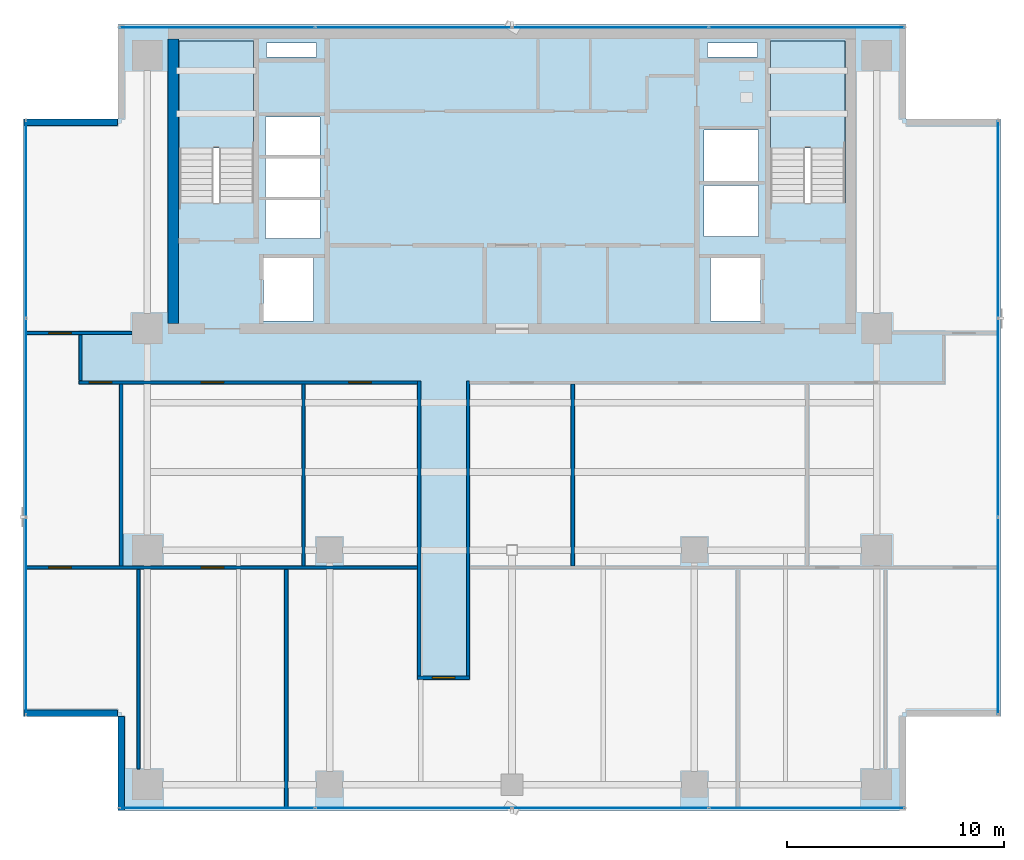
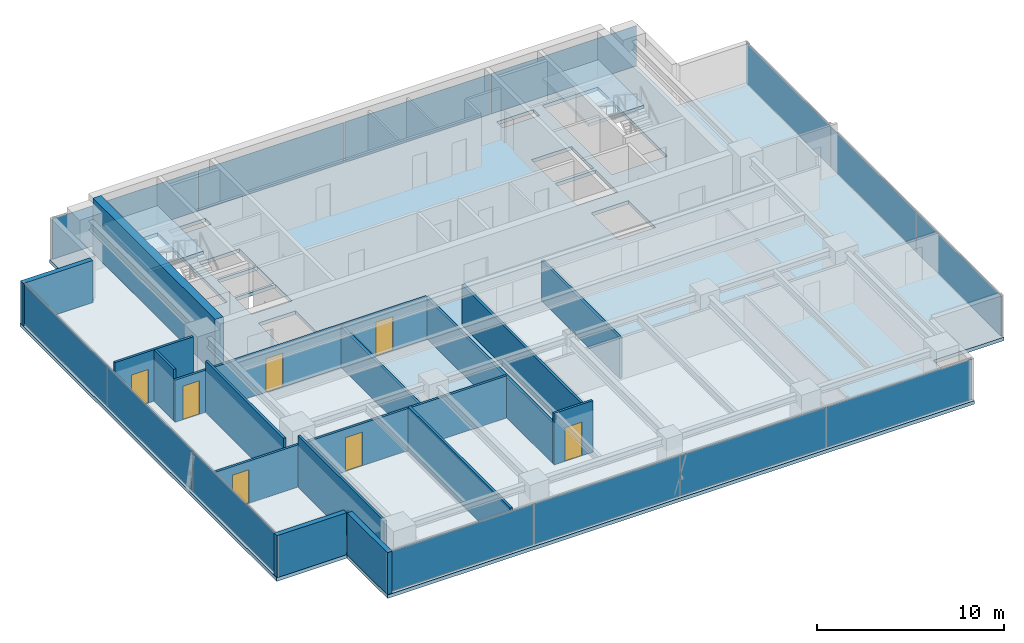
# One storey, part 19 of 25: 16 walls, 14 plates, 7 doors, 3 slabs, 7 openings, 6 elements without a shape of their own.
"""IFC4 building model written with IfcOpenShell, lengths in metres."""

from ifc_helpers import new_model, si_unit, direction, frame, frame_2d, origin, origin_2d, place, context, subcontext, project, spatial, polyline, rectangle, outline, extrude, source, transform, mapped, material, layer, layer_set, type_object, element, fill, aggregate, save


model = new_model("IFC4")

# Units and contexts
model_context = context("Model", 3, precision=1e-05, world=origin(), true_north=direction((0.0, 1.0)))
body_context = subcontext(model_context, "Body", "Model", "MODEL_VIEW")
ifc_project = project(units=[si_unit("LENGTHUNIT", "METRE"), si_unit("AREAUNIT", "SQUARE_METRE"), si_unit("VOLUMEUNIT", "CUBIC_METRE"), si_unit("PLANEANGLEUNIT", "RADIAN"), si_unit("MASSUNIT", "GRAM", prefix="KILO")], contexts=[model_context])

# Site, building, storey
site_placement = place(None, origin())
site = spatial("IfcSite", under=ifc_project, at=site_placement, CompositionType="ELEMENT")
building_placement = place(site_placement, origin())
building = spatial("IfcBuilding", under=site, at=building_placement, Name="Sumidabori Civic Tower", CompositionType="ELEMENT")
storey_placement = place(building_placement, frame((0.0, 0.0, 246.800048828125)))
storey = spatial("IfcBuildingStorey", under=building, at=storey_placement, Name="L64", CompositionType="ELEMENT", Elevation=246.800048828125)

# Stair, slab
ifc_material_1 = material(Name="Concrete C40/50", Category="concrete")
stair_type = type_object("IfcStairType", Name="ST-CORE-1600", PredefinedType="HALF_TURN_STAIR", material=ifc_material_1)
stair_1_placement = place(storey_placement, origin())
stair_1 = element("IfcStair", 1, at=stair_1_placement, inside=storey, type_object=stair_type, Name="L64 ST-1", PredefinedType="HALF_TURN_STAIR")
ifc_layer_1 = layer(ifc_material_1, 0.199951171875, Name="Concrete C40/50")
ifc_layer_set_1 = layer_set([ifc_layer_1], Name="Concrete C40/50")
slab_type_1 = type_object("IfcSlabType", Name="SL-LAND-200", PredefinedType="LANDING", material=ifc_layer_set_1)
slab_1_placement = place(storey_placement, frame((0.0, 0.0, 1.599853515625)))
slab_1 = element("IfcSlab", 2, at=slab_1_placement, type_object=slab_type_1, Name="ST-1 landing 1", PredefinedType="LANDING", context=body_context, shape_type="SweptSolid", body=[
    extrude(outline(polyline([(-11.89990234375, 18.52001953125), (-11.89990234375, 23.449951171875), (-15.340087890625, 23.449951171875), (-15.340087890625, 18.52001953125), (-11.89990234375, 18.52001953125)])), origin(), (0.0, 0.0, 1.0), 0.2001953125),
])
aggregate(stair_1, [slab_1])

stair_2_placement = place(storey_placement, origin())
stair_2 = element("IfcStair", 3, at=stair_2_placement, inside=storey, type_object=stair_type, Name="L64 ST-2", PredefinedType="HALF_TURN_STAIR")
slab_2_placement = place(storey_placement, frame((0.0, 0.0, 1.599853515625)))
slab_2 = element("IfcSlab", 4, at=slab_2_placement, type_object=slab_type_1, Name="ST-2 landing 1", PredefinedType="LANDING", context=body_context, shape_type="SweptSolid", body=[
    extrude(outline(polyline([(15.340087890625, 18.52001953125), (15.340087890625, 23.449951171875), (11.89990234375, 23.449951171875), (11.89990234375, 18.52001953125), (15.340087890625, 18.52001953125)])), origin(), (0.0, 0.0, 1.0), 0.2001953125),
])
aggregate(stair_2, [slab_2])

# Slab
ifc_layer_2 = layer(ifc_material_1, 0.22998046875, Name="Concrete C40/50")
ifc_layer_set_2 = layer_set([ifc_layer_2], Name="Concrete C40/50")
slab_type_2 = type_object("IfcSlabType", Name="SL-Z4-230", PredefinedType="FLOOR", material=ifc_layer_set_2)
slab_3_placement = place(storey_placement, frame((0.0, 0.0, -0.22998046875)))
element("IfcSlab", 5, at=slab_3_placement, inside=storey, type_object=slab_type_2, Name="Structural Slab L64", PredefinedType="FLOOR", context=body_context, shape_type="SweptSolid", body=[
    extrude(outline(polyline([(-18.14990234375, -12.0), (18.14990234375, -12.0), (18.14990234375, -7.64990234375), (22.5, -7.64990234375), (22.5, 19.85009765625), (18.14990234375, 19.85009765625), (18.14990234375, 24.199951171875), (-18.14990234375, 24.199951171875), (-18.14990234375, 19.85009765625), (-22.5, 19.85009765625), (-22.5, -7.64990234375), (-18.14990234375, -7.64990234375), (-18.14990234375, -12.0)]), holes=[polyline([(-11.89990234375, 16.0), (-11.89990234375, 23.449951171875), (-15.340087890625, 23.449951171875), (-15.340087890625, 16.0), (-11.89990234375, 16.0)]), polyline([(15.340087890625, 16.0), (15.340087890625, 23.449951171875), (11.89990234375, 23.449951171875), (11.89990234375, 16.0), (15.340087890625, 16.0)]), polyline([(-11.449951171875, 10.550048828125), (-9.14990234375, 10.550048828125), (-9.14990234375, 13.449951171875), (-11.449951171875, 13.449951171875), (-11.449951171875, 10.550048828125)]), polyline([(9.14990234375, 10.550048828125), (11.449951171875, 10.550048828125), (11.449951171875, 13.449951171875), (9.14990234375, 13.449951171875), (9.14990234375, 10.550048828125)]), polyline([(-11.35009765625, 14.35009765625), (-8.85009765625, 14.35009765625), (-8.85009765625, 16.1201171875), (-11.35009765625, 16.1201171875), (-11.35009765625, 14.35009765625)]), polyline([(-11.35009765625, 16.27001953125), (-8.85009765625, 16.27001953125), (-8.85009765625, 18.0400390625), (-11.35009765625, 18.0400390625), (-11.35009765625, 16.27001953125)]), polyline([(-11.35009765625, 18.18994140625), (-8.85009765625, 18.18994140625), (-8.85009765625, 19.9599609375), (-11.35009765625, 19.9599609375), (-11.35009765625, 18.18994140625)]), polyline([(8.85009765625, 14.449951171875), (11.35009765625, 14.449951171875), (11.35009765625, 16.800048828125), (8.85009765625, 16.800048828125), (8.85009765625, 14.449951171875)]), polyline([(8.85009765625, 17.0), (11.35009765625, 17.0), (11.35009765625, 19.35009765625), (8.85009765625, 19.35009765625), (8.85009765625, 17.0)]), polyline([(-11.300048828125, 22.719970703125), (-9.0, 22.719970703125), (-9.0, 23.35009765625), (-11.300048828125, 23.35009765625), (-11.300048828125, 22.719970703125)]), polyline([(9.0, 22.719970703125), (11.300048828125, 22.719970703125), (11.300048828125, 23.35009765625), (9.0, 23.35009765625), (9.0, 22.719970703125)])]), origin(), (0.0, 0.0, 1.0), 0.22998046875),
])

# Curtain wall, plates
ifc_material_2 = material(Name="Anodised Bronze Aluminium AW-6063-T6", Category="aluminium")
ifc_layer_3 = layer(ifc_material_2, 0.179931640625, Name="Anodised Bronze Aluminium AW-6063-T6")
ifc_layer_set_3 = layer_set([ifc_layer_3], Name="Anodised Bronze Aluminium AW-6063-T6")
curtain_wall_type = type_object("IfcCurtainWallType", Name="CW-SYS-5", PredefinedType="NOTDEFINED", material=ifc_layer_set_3)
curtain_wall_1_placement = place(storey_placement, origin())
curtain_wall_1 = element("IfcCurtainWall", 6, at=curtain_wall_1_placement, inside=storey, type_object=curtain_wall_type, Name="Curtain Wall CW:L64:R01", PredefinedType="NOTDEFINED")
ifc_material_3 = material(Name="Low-E Solar-Control Vision Glazing", Category="glass")
ifc_layer_4 = layer(ifc_material_3, 0.028076171875, Name="Low-E Solar-Control Vision Glazing")
ifc_layer_set_4 = layer_set([ifc_layer_4], Name="Low-E Solar-Control Vision Glazing")
plate_type = type_object("IfcPlateType", Name="CW-PNL-28", PredefinedType="CURTAIN_PANEL", material=ifc_layer_set_4)
shared_shape_1 = source(origin(), body_context, "Body", "SweptSolid", [
    extrude(rectangle(XDim=8.969970703125, YDim=0.028076171875, at=origin_2d()), origin(), (0.0, 0.0, 1.0), 2.6298828125),
])
plate_1_placement = place(storey_placement, frame((-13.574951171875, -11.8798828125, 0.06005859375), z_axis=(0.0, 0.0, 1.0), x_axis=(1.0, 0.0, 0.0)))
plate_1 = element("IfcPlate", 7, at=plate_1_placement, type_object=plate_type, Name="CW-5 panel 1.1", PredefinedType="CURTAIN_PANEL", context=body_context, shape_type="MappedRepresentation", body=[
    mapped(shared_shape_1, transform((0.0, 0.0, 0.0), x_axis=(1.0, 0.0, 0.0), y_axis=(0.0, 1.0, 0.0), z_axis=(0.0, 0.0, 1.0), scale=1.0)),
])
plate_2_placement = place(storey_placement, frame((13.574951171875, -11.8798828125, 0.06005859375), z_axis=(0.0, 0.0, 1.0), x_axis=(1.0, 0.0, 0.0)))
plate_2 = element("IfcPlate", 8, at=plate_2_placement, type_object=plate_type, Name="CW-5 panel 4.1", PredefinedType="CURTAIN_PANEL", context=body_context, shape_type="MappedRepresentation", body=[
    mapped(shared_shape_1, transform((0.0, 0.0, 0.0), x_axis=(1.0, 0.0, 0.0), y_axis=(0.0, 1.0, 0.0), z_axis=(0.0, 0.0, 1.0), scale=1.0)),
])

curtain_wall_2_placement = place(storey_placement, origin())
curtain_wall_2 = element("IfcCurtainWall", 9, at=curtain_wall_2_placement, inside=storey, type_object=curtain_wall_type, Name="Curtain Wall CW:L64:R07", PredefinedType="NOTDEFINED")
plate_3_placement = place(storey_placement, frame((13.574951171875, 24.080078125, 0.06005859375), z_axis=(0.0, 0.0, 1.0), x_axis=(-1.0, 0.0, 0.0)))
plate_3 = element("IfcPlate", 10, at=plate_3_placement, type_object=plate_type, Name="CW-5 panel 1.1", PredefinedType="CURTAIN_PANEL", context=body_context, shape_type="MappedRepresentation", body=[
    mapped(shared_shape_1, transform((0.0, 0.0, 0.0), x_axis=(1.0, 0.0, 0.0), y_axis=(0.0, 1.0, 0.0), z_axis=(0.0, 0.0, 1.0), scale=1.0)),
])
plate_4_placement = place(storey_placement, frame((-13.574951171875, 24.080078125, 0.06005859375), z_axis=(0.0, 0.0, 1.0), x_axis=(-1.0, 0.0, 0.0)))
plate_4 = element("IfcPlate", 11, at=plate_4_placement, type_object=plate_type, Name="CW-5 panel 4.1", PredefinedType="CURTAIN_PANEL", context=body_context, shape_type="MappedRepresentation", body=[
    mapped(shared_shape_1, transform((0.0, 0.0, 0.0), x_axis=(1.0, 0.0, 0.0), y_axis=(0.0, 1.0, 0.0), z_axis=(0.0, 0.0, 1.0), scale=1.0)),
])

# Plate
shared_shape_2 = source(origin(), body_context, "Body", "SweptSolid", [
    extrude(rectangle(XDim=9.0, YDim=0.028076171875, at=origin_2d()), origin(), (0.0, 0.0, 1.0), 2.6298828125),
])
plate_5_placement = place(storey_placement, frame((-4.530029296875, -11.8798828125, 0.06005859375), z_axis=(0.0, 0.0, 1.0), x_axis=(1.0, 0.0, 0.0)))
plate_5 = element("IfcPlate", 12, at=plate_5_placement, type_object=plate_type, Name="CW-5 panel 2.1", PredefinedType="CURTAIN_PANEL", context=body_context, shape_type="MappedRepresentation", body=[
    mapped(shared_shape_2, transform((0.0, 0.0, 0.0), x_axis=(1.0, 0.0, 0.0), y_axis=(0.0, 1.0, 0.0), z_axis=(0.0, 0.0, 1.0), scale=1.0)),
])

plate_6_placement = place(storey_placement, frame((4.530029296875, -11.8798828125, 0.06005859375), z_axis=(0.0, 0.0, 1.0), x_axis=(1.0, 0.0, 0.0)))
plate_6 = element("IfcPlate", 13, at=plate_6_placement, type_object=plate_type, Name="CW-5 panel 3.1", PredefinedType="CURTAIN_PANEL", context=body_context, shape_type="MappedRepresentation", body=[
    mapped(shared_shape_2, transform((0.0, 0.0, 0.0), x_axis=(1.0, 0.0, 0.0), y_axis=(0.0, 1.0, 0.0), z_axis=(0.0, 0.0, 1.0), scale=1.0)),
])

aggregate(curtain_wall_1, [plate_1, plate_5, plate_6, plate_2])

plate_7_placement = place(storey_placement, frame((4.530029296875, 24.080078125, 0.06005859375), z_axis=(0.0, 0.0, 1.0), x_axis=(-1.0, 0.0, 0.0)))
plate_7 = element("IfcPlate", 14, at=plate_7_placement, type_object=plate_type, Name="CW-5 panel 2.1", PredefinedType="CURTAIN_PANEL", context=body_context, shape_type="MappedRepresentation", body=[
    mapped(shared_shape_2, transform((0.0, 0.0, 0.0), x_axis=(1.0, 0.0, 0.0), y_axis=(0.0, 1.0, 0.0), z_axis=(0.0, 0.0, 1.0), scale=1.0)),
])

plate_8_placement = place(storey_placement, frame((-4.530029296875, 24.080078125, 0.06005859375), z_axis=(0.0, 0.0, 1.0), x_axis=(-1.0, 0.0, 0.0)))
plate_8 = element("IfcPlate", 15, at=plate_8_placement, type_object=plate_type, Name="CW-5 panel 3.1", PredefinedType="CURTAIN_PANEL", context=body_context, shape_type="MappedRepresentation", body=[
    mapped(shared_shape_2, transform((0.0, 0.0, 0.0), x_axis=(1.0, 0.0, 0.0), y_axis=(0.0, 1.0, 0.0), z_axis=(0.0, 0.0, 1.0), scale=1.0)),
])

aggregate(curtain_wall_2, [plate_3, plate_7, plate_8, plate_4])

# Curtain wall, plates
curtain_wall_3_placement = place(storey_placement, origin())
curtain_wall_3 = element("IfcCurtainWall", 16, at=curtain_wall_3_placement, inside=storey, type_object=curtain_wall_type, Name="Curtain Wall CW:L64:R04", PredefinedType="NOTDEFINED")
shared_shape_3 = source(origin(), body_context, "Body", "SweptSolid", [
    extrude(rectangle(XDim=9.056640625, YDim=0.028076171875, at=origin_2d()), origin(), (0.0, 0.0, 1.0), 2.6298828125),
])
plate_9_placement = place(storey_placement, frame((22.3798828125, -3.03173828125, 0.06005859375), z_axis=(0.0, 0.0, 1.0), x_axis=(0.0, 1.0, 0.0)))
plate_9 = element("IfcPlate", 17, at=plate_9_placement, type_object=plate_type, Name="CW-5 panel 1.1", PredefinedType="CURTAIN_PANEL", context=body_context, shape_type="MappedRepresentation", body=[
    mapped(shared_shape_3, transform((0.0, 0.0, 0.0), x_axis=(1.0, 0.0, 0.0), y_axis=(0.0, 1.0, 0.0), z_axis=(0.0, 0.0, 1.0), scale=1.0)),
])
plate_10_placement = place(storey_placement, frame((22.3798828125, 15.231689453125, 0.06005859375), z_axis=(0.0, 0.0, 1.0), x_axis=(0.0, 1.0, 0.0)))
plate_10 = element("IfcPlate", 18, at=plate_10_placement, type_object=plate_type, Name="CW-5 panel 3.1", PredefinedType="CURTAIN_PANEL", context=body_context, shape_type="MappedRepresentation", body=[
    mapped(shared_shape_3, transform((0.0, 0.0, 0.0), x_axis=(1.0, 0.0, 0.0), y_axis=(0.0, 1.0, 0.0), z_axis=(0.0, 0.0, 1.0), scale=1.0)),
])

curtain_wall_4_placement = place(storey_placement, origin())
curtain_wall_4 = element("IfcCurtainWall", 19, at=curtain_wall_4_placement, inside=storey, type_object=curtain_wall_type, Name="Curtain Wall CW:L64:R10", PredefinedType="NOTDEFINED")
plate_11_placement = place(storey_placement, frame((-22.3798828125, 15.231689453125, 0.06005859375), z_axis=(0.0, 0.0, 1.0), x_axis=(0.0, -1.0, 0.0)))
plate_11 = element("IfcPlate", 20, at=plate_11_placement, type_object=plate_type, Name="CW-5 panel 1.1", PredefinedType="CURTAIN_PANEL", context=body_context, shape_type="MappedRepresentation", body=[
    mapped(shared_shape_3, transform((0.0, 0.0, 0.0), x_axis=(1.0, 0.0, 0.0), y_axis=(0.0, 1.0, 0.0), z_axis=(0.0, 0.0, 1.0), scale=1.0)),
])
plate_12_placement = place(storey_placement, frame((-22.3798828125, -3.03173828125, 0.06005859375), z_axis=(0.0, 0.0, 1.0), x_axis=(0.0, -1.0, 0.0)))
plate_12 = element("IfcPlate", 21, at=plate_12_placement, type_object=plate_type, Name="CW-5 panel 3.1", PredefinedType="CURTAIN_PANEL", context=body_context, shape_type="MappedRepresentation", body=[
    mapped(shared_shape_3, transform((0.0, 0.0, 0.0), x_axis=(1.0, 0.0, 0.0), y_axis=(0.0, 1.0, 0.0), z_axis=(0.0, 0.0, 1.0), scale=1.0)),
])

# Plate
shared_shape_4 = source(origin(), body_context, "Body", "SweptSolid", [
    extrude(rectangle(XDim=9.086669921875, YDim=0.028076171875, at=origin_2d()), origin(), (0.0, 0.0, 1.0), 2.6298828125),
])
plate_13_placement = place(storey_placement, frame((22.3798828125, 6.10009765625, 0.06005859375), z_axis=(0.0, 0.0, 1.0), x_axis=(0.0, 1.0, 0.0)))
plate_13 = element("IfcPlate", 22, at=plate_13_placement, type_object=plate_type, Name="CW-5 panel 2.1", PredefinedType="CURTAIN_PANEL", context=body_context, shape_type="MappedRepresentation", body=[
    mapped(shared_shape_4, transform((0.0, 0.0, 0.0), x_axis=(1.0, 0.0, 0.0), y_axis=(0.0, 1.0, 0.0), z_axis=(0.0, 0.0, 1.0), scale=1.0)),
])

aggregate(curtain_wall_3, [plate_9, plate_13, plate_10])

plate_14_placement = place(storey_placement, frame((-22.3798828125, 6.10009765625, 0.06005859375), z_axis=(0.0, 0.0, 1.0), x_axis=(0.0, -1.0, 0.0)))
plate_14 = element("IfcPlate", 23, at=plate_14_placement, type_object=plate_type, Name="CW-5 panel 2.1", PredefinedType="CURTAIN_PANEL", context=body_context, shape_type="MappedRepresentation", body=[
    mapped(shared_shape_4, transform((0.0, 0.0, 0.0), x_axis=(1.0, 0.0, 0.0), y_axis=(0.0, 1.0, 0.0), z_axis=(0.0, 0.0, 1.0), scale=1.0)),
])

aggregate(curtain_wall_4, [plate_11, plate_14, plate_12])

# Walls
ifc_material_4 = material(Name="Concrete C50/60", Category="concrete")
ifc_layer_5 = layer(ifc_material_4, 0.5, Name="Concrete C50/60")
ifc_layer_set_5 = layer_set([ifc_layer_5], Name="Concrete C50/60")
wall_type_1 = type_object("IfcWallType", Name="WL-CORE-500", PredefinedType="SHEAR", material=ifc_layer_set_5)
shared_shape_5 = source(origin(), body_context, "Body", "SweptSolid", [
    extrude(rectangle(XDim=13.10009765625, YDim=0.5, at=frame_2d((6.550048828125, 0.0))), origin(), (0.0, 0.0, 1.0), 3.599853515625),
])
wall_1_placement = place(storey_placement, frame((-15.60009765625, 10.449951171875, 0.0), z_axis=(0.0, 0.0, 1.0), x_axis=(0.0, 1.0, 0.0)))
element("IfcWall", 24, at=wall_1_placement, inside=storey, type_object=wall_type_1, Name="Core Shear Wall L64 W", PredefinedType="SHEAR", context=body_context, shape_type="MappedRepresentation", body=[
    mapped(shared_shape_5, transform((0.0, 0.0, 0.0), x_axis=(1.0, 0.0, 0.0), y_axis=(0.0, 1.0, 0.0), z_axis=(0.0, 0.0, 1.0), scale=1.0)),
])
ifc_material_5 = material(Name="Precast concrete C40/50", Category="concrete")
ifc_layer_6 = layer(ifc_material_5, 0.300048828125, Name="Precast concrete C40/50")
ifc_layer_set_6 = layer_set([ifc_layer_6], Name="Precast concrete C40/50")
wall_type_2 = type_object("IfcWallType", Name="WL-EXT-POD300", PredefinedType="STANDARD", material=ifc_layer_set_6)
shared_shape_6 = source(origin(), body_context, "Body", "SweptSolid", [
    extrude(rectangle(XDim=4.31005859375, YDim=0.300048828125, at=frame_2d((2.155029296875, 0.0))), origin(), (0.0, 0.0, 1.0), 2.75),
])
for number, where, z_axis, x_axis, name in (
    (25, (-18.169921875, 19.699951171875, 0.0), (0.0, 0.0, 1.0), (-1.0, 0.0, 0.0), "Notched Corner Spandrel Band L64-09"),
    (26, (-22.47998046875, -7.5, 0.0), (0.0, 0.0, 1.0), (1.0, 0.0, 0.0), "Notched Corner Spandrel Band L64-11"),
    (27, (-18.0, -7.669921875, 0.0), (0.0, 0.0, 1.0), (0.0, -1.0, 0.0), "Notched Corner Spandrel Band L64-12"),
):
    element("IfcWall", number, at=place(storey_placement, frame(where, z_axis=z_axis, x_axis=x_axis)), inside=storey, type_object=wall_type_2, Name=name, PredefinedType="STANDARD", context=body_context, shape_type="MappedRepresentation", body=[
        mapped(shared_shape_6, transform((0.0, 0.0, 0.0), x_axis=(1.0, 0.0, 0.0), y_axis=(0.0, 1.0, 0.0), z_axis=(0.0, 0.0, 1.0), scale=1.0)),
    ])
ifc_material_6 = material(Name="Gypsum Plasterboard Acoustic Partition")
ifc_layer_7 = layer(ifc_material_6, 0.14990234375, Name="Gypsum Plasterboard Acoustic Partition")
ifc_layer_set_7 = layer_set([ifc_layer_7], Name="Gypsum Plasterboard Acoustic Partition")
wall_type_3 = type_object("IfcWallType", Name="WL-PART-150", PredefinedType="PARTITIONING", material=ifc_layer_set_7)
shared_shape_7 = source(origin(), body_context, "Body", "SweptSolid", [
    extrude(rectangle(XDim=13.594970703125, YDim=0.14990234375, at=frame_2d((6.79736328125, 0.0))), origin(), (0.0, 0.0, 1.0), 2.655029296875),
])
for number, where, z_axis, x_axis, name in (
    (28, (-4.27490234375, -5.794921875, 0.0), (0.0, 0.0, 1.0), (0.0, 1.0, 0.0), "Interior Partition WL:L64:CORR-VC-W"),
    (29, (-2.02490234375, -5.794921875, 0.0), (0.0, 0.0, 1.0), (0.0, 1.0, 0.0), "Interior Partition WL:L64:CORR-VC-E"),
):
    element("IfcWall", number, at=place(storey_placement, frame(where, z_axis=z_axis, x_axis=x_axis)), inside=storey, type_object=wall_type_3, Name=name, PredefinedType="PARTITIONING", context=body_context, shape_type="MappedRepresentation", body=[
        mapped(shared_shape_7, transform((0.0, 0.0, 0.0), x_axis=(1.0, 0.0, 0.0), y_axis=(0.0, 1.0, 0.0), z_axis=(0.0, 0.0, 1.0), scale=1.0)),
    ])
shared_shape_8 = source(origin(), body_context, "Body", "SweptSolid", [
    extrude(rectangle(XDim=8.364990234375, YDim=0.14990234375, at=frame_2d((4.1826171875, 0.0))), origin(), (0.0, 0.0, 1.0), 2.655029296875),
])
for number, where, z_axis, x_axis, name in (
    (30, (-9.60009765625, -0.719970703125, 0.0), (0.0, 0.0, 1.0), (0.0, 1.0, 0.0), "Interior Partition WL:L64:VX-N2"),
    (31, (2.800048828125, -0.719970703125, 0.0), (0.0, 0.0, 1.0), (0.0, 1.0, 0.0), "Interior Partition WL:L64:VX-N3"),
):
    element("IfcWall", number, at=place(storey_placement, frame(where, z_axis=z_axis, x_axis=x_axis)), inside=storey, type_object=wall_type_3, Name=name, PredefinedType="PARTITIONING", context=body_context, shape_type="MappedRepresentation", body=[
        mapped(shared_shape_8, transform((0.0, 0.0, 0.0), x_axis=(1.0, 0.0, 0.0), y_axis=(0.0, 1.0, 0.0), z_axis=(0.0, 0.0, 1.0), scale=1.0)),
    ])
shared_shape_9 = source(origin(), body_context, "Body", "SweptSolid", [
    extrude(rectangle(XDim=10.97021484375, YDim=0.14990234375, at=frame_2d((5.485107421875, 0.0))), origin(), (0.0, 0.0, 1.0), 2.905029296875),
])
wall_2_placement = place(storey_placement, frame((-10.39990234375, -11.85009765625, 0.0), z_axis=(0.0, 0.0, 1.0), x_axis=(0.0, 1.0, 0.0)))
element("IfcWall", 32, at=wall_2_placement, inside=storey, type_object=wall_type_3, Name="Interior Partition WL:L64:VX-S2", PredefinedType="PARTITIONING", context=body_context, shape_type="MappedRepresentation", body=[
    mapped(shared_shape_9, transform((0.0, 0.0, 0.0), x_axis=(1.0, 0.0, 0.0), y_axis=(0.0, 1.0, 0.0), z_axis=(0.0, 0.0, 1.0), scale=1.0)),
])

# Wall, opening, door
shared_shape_10 = source(origin(), body_context, "Body", "SweptSolid", [
    extrude(rectangle(XDim=4.840087890625, YDim=0.14990234375, at=frame_2d((2.419921875, 0.0))), origin(), (0.0, 0.0, 1.0), 3.369873046875),
])
wall_3_placement = place(storey_placement, frame((-22.35009765625, 10.0, 0.0), z_axis=(0.0, 0.0, 1.0), x_axis=(1.0, 0.0, 0.0)))
wall_3 = element("IfcWall", 33, at=wall_3_placement, inside=storey, type_object=wall_type_3, Name="Interior Partition WL:L64:FLK-NW", PredefinedType="PARTITIONING", context=body_context, shape_type="MappedRepresentation", body=[
    mapped(shared_shape_10, transform((0.0, 0.0, 0.0), x_axis=(1.0, 0.0, 0.0), y_axis=(0.0, 1.0, 0.0), z_axis=(0.0, 0.0, 1.0), scale=1.0)),
])
opening_1_placement = place(wall_3_placement, frame((1.017578125, 0.0, 0.0)))
opening_1 = element("IfcOpeningElement", 34, at=opening_1_placement, cuts=wall_3, Name="Opening DR-4", PredefinedType="OPENING", context=body_context, shape_type="SweptSolid", body=[
    extrude(rectangle(XDim=1.0400390625, YDim=2.199951171875, at=frame_2d((0.52001953125, 1.10009765625))), frame((0.0, 0.0869140625, 0.0), z_axis=(0.0, -1.0, 0.0), x_axis=(1.0, 0.0, 0.0)), (0.0, 0.0, 1.0), 0.173828125),
])
ifc_material_7 = material(Name="Japanese Hinoki Timber", Category="wood")
door_type = type_object("IfcDoorType", Name="DR-INT-1040", OperationType="NOTDEFINED", PredefinedType="DOOR", material=ifc_material_7)
shared_shape_11 = source(origin(), body_context, "Body", "SweptSolid", [
    extrude(rectangle(XDim=1.0400390625, YDim=2.199951171875, at=frame_2d((0.52001953125, 1.10009765625))), frame((0.0, 0.02490234375, 0.0), z_axis=(0.0, -1.0, 0.0), x_axis=(1.0, 0.0, 0.0)), (0.0, 0.0, 1.0), 0.050048828125),
])
door_1_placement = place(opening_1_placement, origin())
door_1 = element("IfcDoor", 35, at=door_1_placement, inside=storey, type_object=door_type, Name="Door DR:L64:D08", OperationType="SINGLE_SWING_RIGHT", OverallHeight=2.199951171875, OverallWidth=1.0400390625, PredefinedType="DOOR", context=body_context, shape_type="MappedRepresentation", body=[
    mapped(shared_shape_11, transform((0.0, 0.0, 0.0), x_axis=(1.0, 0.0, 0.0), y_axis=(0.0, 1.0, 0.0), z_axis=(0.0, 0.0, 1.0), scale=1.0)),
])
fill(opening_1, door_1)

# Wall, openings, doors
shared_shape_12 = source(origin(), body_context, "Body", "SweptSolid", [
    extrude(rectangle(XDim=15.599853515625, YDim=0.14990234375, at=frame_2d((7.7998046875, 0.0))), origin(), (0.0, 0.0, 1.0), 2.7548828125),
])
wall_4_placement = place(storey_placement, frame((-19.949951171875, 7.72509765625, 0.0), z_axis=(0.0, 0.0, 1.0), x_axis=(1.0, 0.0, 0.0)))
wall_4 = element("IfcWall", 36, at=wall_4_placement, inside=storey, type_object=wall_type_3, Name="Interior Partition WL:L64:CORR-SW", PredefinedType="PARTITIONING", context=body_context, shape_type="MappedRepresentation", body=[
    mapped(shared_shape_12, transform((0.0, 0.0, 0.0), x_axis=(1.0, 0.0, 0.0), y_axis=(0.0, 1.0, 0.0), z_axis=(0.0, 0.0, 1.0), scale=1.0)),
])
opening_2_placement = place(wall_4_placement, frame((0.4775390625, 0.0, 0.0)))
opening_2 = element("IfcOpeningElement", 37, at=opening_2_placement, cuts=wall_4, Name="Opening DR-4", PredefinedType="OPENING", context=body_context, shape_type="SweptSolid", body=[
    extrude(rectangle(XDim=1.0400390625, YDim=2.199951171875, at=frame_2d((0.52001953125, 1.10009765625))), frame((0.0, 0.0869140625, 0.0), z_axis=(0.0, -1.0, 0.0), x_axis=(1.0, 0.0, 0.0)), (0.0, 0.0, 1.0), 0.173828125),
])
opening_3_placement = place(wall_4_placement, frame((5.6298828125, 0.0, 0.0)))
opening_3 = element("IfcOpeningElement", 38, at=opening_3_placement, cuts=wall_4, Name="Opening DR-4", PredefinedType="OPENING", context=body_context, shape_type="SweptSolid", body=[
    extrude(rectangle(XDim=1.0400390625, YDim=2.199951171875, at=frame_2d((0.52001953125, 1.10009765625))), frame((0.0, 0.0869140625, 0.0), z_axis=(0.0, -1.0, 0.0), x_axis=(1.0, 0.0, 0.0)), (0.0, 0.0, 1.0), 0.173828125),
])
opening_4_placement = place(wall_4_placement, frame((12.4326171875, 0.0, 0.0)))
opening_4 = element("IfcOpeningElement", 39, at=opening_4_placement, cuts=wall_4, Name="Opening DR-4", PredefinedType="OPENING", context=body_context, shape_type="SweptSolid", body=[
    extrude(rectangle(XDim=1.0400390625, YDim=2.199951171875, at=frame_2d((0.52001953125, 1.10009765625))), frame((0.0, 0.0869140625, 0.0), z_axis=(0.0, -1.0, 0.0), x_axis=(1.0, 0.0, 0.0)), (0.0, 0.0, 1.0), 0.173828125),
])
door_2_placement = place(opening_2_placement, origin())
door_2 = element("IfcDoor", 40, at=door_2_placement, inside=storey, type_object=door_type, Name="Door DR:L64:D01", OperationType="SINGLE_SWING_LEFT", OverallHeight=2.199951171875, OverallWidth=1.0400390625, PredefinedType="DOOR", context=body_context, shape_type="MappedRepresentation", body=[
    mapped(shared_shape_11, transform((0.0, 0.0, 0.0), x_axis=(1.0, 0.0, 0.0), y_axis=(0.0, 1.0, 0.0), z_axis=(0.0, 0.0, 1.0), scale=1.0)),
])
fill(opening_2, door_2)
door_3_placement = place(opening_3_placement, origin())
door_3 = element("IfcDoor", 41, at=door_3_placement, inside=storey, type_object=door_type, Name="Door DR:L64:D03", OperationType="SINGLE_SWING_LEFT", OverallHeight=2.199951171875, OverallWidth=1.0400390625, PredefinedType="DOOR", context=body_context, shape_type="MappedRepresentation", body=[
    mapped(shared_shape_11, transform((0.0, 0.0, 0.0), x_axis=(1.0, 0.0, 0.0), y_axis=(0.0, 1.0, 0.0), z_axis=(0.0, 0.0, 1.0), scale=1.0)),
])
fill(opening_3, door_3)
door_4_placement = place(opening_4_placement, origin())
door_4 = element("IfcDoor", 42, at=door_4_placement, inside=storey, type_object=door_type, Name="Door DR:L64:D04", OperationType="SINGLE_SWING_RIGHT", OverallHeight=2.199951171875, OverallWidth=1.0400390625, PredefinedType="DOOR", context=body_context, shape_type="MappedRepresentation", body=[
    mapped(shared_shape_11, transform((0.0, 0.0, 0.0), x_axis=(1.0, 0.0, 0.0), y_axis=(0.0, 1.0, 0.0), z_axis=(0.0, 0.0, 1.0), scale=1.0)),
])
fill(opening_4, door_4)

# Wall, opening, door
shared_shape_13 = source(origin(), body_context, "Body", "SweptSolid", [
    extrude(rectangle(XDim=2.400146484375, YDim=0.14990234375, at=frame_2d((1.2001953125, 0.0))), origin(), (0.0, 0.0, 1.0), 3.369873046875),
])
wall_5_placement = place(storey_placement, frame((-4.35009765625, -5.875, 0.0), z_axis=(0.0, 0.0, 1.0), x_axis=(1.0, 0.0, 0.0)))
wall_5 = element("IfcWall", 43, at=wall_5_placement, inside=storey, type_object=wall_type_3, Name="Interior Partition WL:L64:CORR-CAP-C", PredefinedType="PARTITIONING", context=body_context, shape_type="MappedRepresentation", body=[
    mapped(shared_shape_13, transform((0.0, 0.0, 0.0), x_axis=(1.0, 0.0, 0.0), y_axis=(0.0, 1.0, 0.0), z_axis=(0.0, 0.0, 1.0), scale=1.0)),
])
opening_5_placement = place(wall_5_placement, frame((0.679931640625, 0.0, 0.0)))
opening_5 = element("IfcOpeningElement", 44, at=opening_5_placement, cuts=wall_5, Name="Opening DR-4", PredefinedType="OPENING", context=body_context, shape_type="SweptSolid", body=[
    extrude(rectangle(XDim=1.0400390625, YDim=2.199951171875, at=frame_2d((0.52001953125, 1.10009765625))), frame((0.0, 0.0869140625, 0.0), z_axis=(0.0, -1.0, 0.0), x_axis=(1.0, 0.0, 0.0)), (0.0, 0.0, 1.0), 0.173828125),
])
door_5_placement = place(opening_5_placement, origin())
door_5 = element("IfcDoor", 45, at=door_5_placement, inside=storey, type_object=door_type, Name="Door DR:L64:D07", OperationType="SINGLE_SWING_LEFT", OverallHeight=2.199951171875, OverallWidth=1.0400390625, PredefinedType="DOOR", context=body_context, shape_type="MappedRepresentation", body=[
    mapped(shared_shape_11, transform((0.0, 0.0, 0.0), x_axis=(1.0, 0.0, 0.0), y_axis=(0.0, 1.0, 0.0), z_axis=(0.0, 0.0, 1.0), scale=1.0)),
])
fill(opening_5, door_5)

# Wall
shared_shape_14 = source(origin(), body_context, "Body", "SweptSolid", [
    extrude(rectangle(XDim=2.114990234375, YDim=0.14990234375, at=frame_2d((1.0576171875, 0.0))), origin(), (0.0, 0.0, 1.0), 3.369873046875),
])
wall_6_placement = place(storey_placement, frame((-19.875, 7.804931640625, 0.0), z_axis=(0.0, 0.0, 1.0), x_axis=(0.0, 1.0, 0.0)))
element("IfcWall", 46, at=wall_6_placement, inside=storey, type_object=wall_type_3, Name="Interior Partition WL:L64:CORR-VNW", PredefinedType="PARTITIONING", context=body_context, shape_type="MappedRepresentation", body=[
    mapped(shared_shape_14, transform((0.0, 0.0, 0.0), x_axis=(1.0, 0.0, 0.0), y_axis=(0.0, 1.0, 0.0), z_axis=(0.0, 0.0, 1.0), scale=1.0)),
])

# Wall, openings, doors
shared_shape_15 = source(origin(), body_context, "Body", "SweptSolid", [
    extrude(rectangle(XDim=17.9951171875, YDim=0.14990234375, at=frame_2d((8.99755859375, 0.0))), origin(), (0.0, 0.0, 1.0), 2.7548828125),
])
wall_7_placement = place(storey_placement, frame((-22.35009765625, -0.800048828125, 0.0), z_axis=(0.0, 0.0, 1.0), x_axis=(1.0, 0.0, 0.0)))
wall_7 = element("IfcWall", 47, at=wall_7_placement, inside=storey, type_object=wall_type_3, Name="Interior Partition WL:L64:BAND-Y-1", PredefinedType="PARTITIONING", context=body_context, shape_type="MappedRepresentation", body=[
    mapped(shared_shape_15, transform((0.0, 0.0, 0.0), x_axis=(1.0, 0.0, 0.0), y_axis=(0.0, 1.0, 0.0), z_axis=(0.0, 0.0, 1.0), scale=1.0)),
])
opening_6_placement = place(wall_7_placement, frame((1.017578125, 0.0, 0.0)))
opening_6 = element("IfcOpeningElement", 48, at=opening_6_placement, cuts=wall_7, Name="Opening DR-4", PredefinedType="OPENING", context=body_context, shape_type="SweptSolid", body=[
    extrude(rectangle(XDim=1.0400390625, YDim=2.199951171875, at=frame_2d((0.52001953125, 1.10009765625))), frame((0.0, 0.0869140625, 0.0), z_axis=(0.0, -1.0, 0.0), x_axis=(1.0, 0.0, 0.0)), (0.0, 0.0, 1.0), 0.173828125),
])
opening_7_placement = place(wall_7_placement, frame((8.030029296875, 0.0, 0.0)))
opening_7 = element("IfcOpeningElement", 49, at=opening_7_placement, cuts=wall_7, Name="Opening DR-4", PredefinedType="OPENING", context=body_context, shape_type="SweptSolid", body=[
    extrude(rectangle(XDim=1.0400390625, YDim=2.199951171875, at=frame_2d((0.52001953125, 1.10009765625))), frame((0.0, 0.0869140625, 0.0), z_axis=(0.0, -1.0, 0.0), x_axis=(1.0, 0.0, 0.0)), (0.0, 0.0, 1.0), 0.173828125),
])
door_6_placement = place(opening_6_placement, origin())
door_6 = element("IfcDoor", 50, at=door_6_placement, inside=storey, type_object=door_type, Name="Door DR:L64:D10", OperationType="SINGLE_SWING_RIGHT", OverallHeight=2.199951171875, OverallWidth=1.0400390625, PredefinedType="DOOR", context=body_context, shape_type="MappedRepresentation", body=[
    mapped(shared_shape_11, transform((0.0, 0.0, 0.0), x_axis=(1.0, 0.0, 0.0), y_axis=(0.0, 1.0, 0.0), z_axis=(0.0, 0.0, 1.0), scale=1.0)),
])
fill(opening_6, door_6)
door_7_placement = place(opening_7_placement, origin())
door_7 = element("IfcDoor", 51, at=door_7_placement, inside=storey, type_object=door_type, Name="Door DR:L64:D12", OperationType="SINGLE_SWING_RIGHT", OverallHeight=2.199951171875, OverallWidth=1.0400390625, PredefinedType="DOOR", context=body_context, shape_type="MappedRepresentation", body=[
    mapped(shared_shape_11, transform((0.0, 0.0, 0.0), x_axis=(1.0, 0.0, 0.0), y_axis=(0.0, 1.0, 0.0), z_axis=(0.0, 0.0, 1.0), scale=1.0)),
])
fill(opening_7, door_7)

# Walls
shared_shape_16 = source(origin(), body_context, "Body", "SweptSolid", [
    extrude(rectangle(XDim=8.364990234375, YDim=0.14990234375, at=frame_2d((4.1826171875, 0.0))), origin(), (0.0, 0.0, 1.0), 3.369873046875),
])
wall_8_placement = place(storey_placement, frame((-18.0, -0.719970703125, 0.0), z_axis=(0.0, 0.0, 1.0), x_axis=(0.0, 1.0, 0.0)))
element("IfcWall", 52, at=wall_8_placement, inside=storey, type_object=wall_type_3, Name="Interior Partition WL:L64:VX-N1", PredefinedType="PARTITIONING", context=body_context, shape_type="MappedRepresentation", body=[
    mapped(shared_shape_16, transform((0.0, 0.0, 0.0), x_axis=(1.0, 0.0, 0.0), y_axis=(0.0, 1.0, 0.0), z_axis=(0.0, 0.0, 1.0), scale=1.0)),
])
shared_shape_17 = source(origin(), body_context, "Body", "SweptSolid", [
    extrude(rectangle(XDim=9.210205078125, YDim=0.14990234375, at=frame_2d((4.60498046875, 0.0))), origin(), (0.0, 0.0, 1.0), 3.369873046875),
])
wall_9_placement = place(storey_placement, frame((-17.199951171875, -10.090087890625, 0.0), z_axis=(0.0, 0.0, 1.0), x_axis=(0.0, 1.0, 0.0)))
element("IfcWall", 53, at=wall_9_placement, inside=storey, type_object=wall_type_3, Name="Interior Partition WL:L64:VX-S1", PredefinedType="PARTITIONING", context=body_context, shape_type="MappedRepresentation", body=[
    mapped(shared_shape_17, transform((0.0, 0.0, 0.0), x_axis=(1.0, 0.0, 0.0), y_axis=(0.0, 1.0, 0.0), z_axis=(0.0, 0.0, 1.0), scale=1.0)),
])

save(model, "model.ifc")
